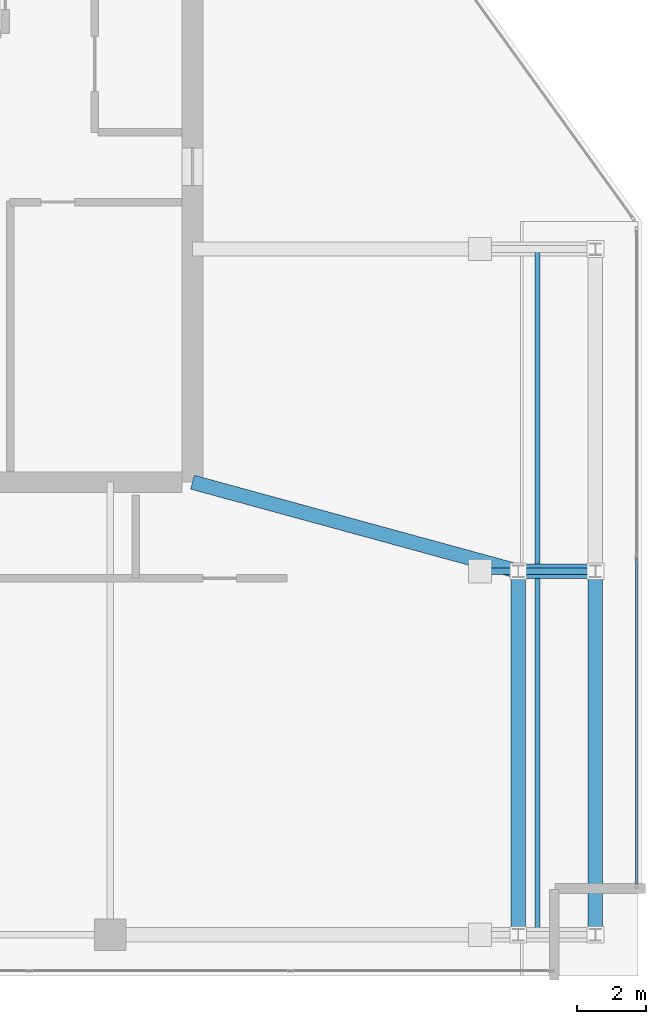
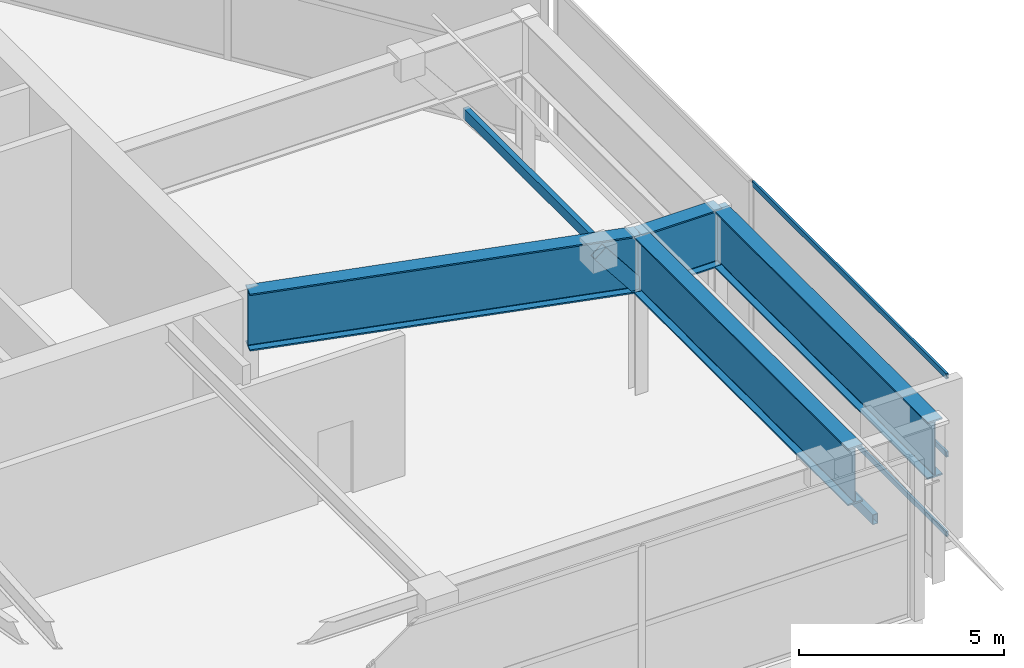
# One storey, part 8 of 21: 5 beams, 4 members, 1 element without a shape of its own.
"""IFC4 building model written with IfcOpenShell, lengths in metres."""

from ifc_helpers import new_model, si_unit, direction, frame, origin, origin_2d, place, context, subcontext, project, spatial, hollow_rectangle, i_section, extrude, material, layer, layer_set, material_profile, profile_set, type_object, element, aggregate, save


model = new_model("IFC4")

# Units and contexts
model_context = context("Model", 3, precision=1e-05, world=origin(), true_north=direction((0.0, 1.0)))
body_context = subcontext(model_context, "Body", "Model", "MODEL_VIEW")
ifc_project = project(units=[si_unit("LENGTHUNIT", "METRE"), si_unit("AREAUNIT", "SQUARE_METRE"), si_unit("VOLUMEUNIT", "CUBIC_METRE"), si_unit("PLANEANGLEUNIT", "RADIAN"), si_unit("MASSUNIT", "GRAM", prefix="KILO")], contexts=[model_context])

# Site, building, storey
site_placement = place(None, origin())
site = spatial("IfcSite", under=ifc_project, at=site_placement, CompositionType="ELEMENT")
building_placement = place(site_placement, origin())
building = spatial("IfcBuilding", under=site, at=building_placement, Name="Calvorn Quay Hotel", CompositionType="ELEMENT")
storey_placement = place(building_placement, frame((0.0, 0.0, 330.5)))
storey = spatial("IfcBuildingStorey", under=building, at=storey_placement, Name="L81", CompositionType="ELEMENT", Elevation=330.5)

# Beams
ifc_material_1 = material(Name="Steel Q355B", Category="steel")
ifc_material_profile_1 = material_profile(ifc_material_1, hollow_rectangle(XDim=0.199951171875, YDim=0.39990234375, WallThickness=0.013916015625, at=origin_2d()), Name="RHS400x200x14")
ifc_profile_set_1 = profile_set([ifc_material_profile_1], Name="Steel Q355B")
beam_type_1 = type_object("IfcBeamType", Name="BM-CRN-RAFTER", PredefinedType="BEAM", material=ifc_profile_set_1)
beam_1_placement = place(storey_placement, frame((26.75, 14.199951171875, 0.25), z_axis=(-0.620072794286, 0.0, 0.784544281597), x_axis=(0.0, -1.0, 0.0)))
element("IfcBeam", 1, at=beam_1_placement, inside=storey, type_object=beam_type_1, Name="Crown Raking Rafter L81-2", PredefinedType="BEAM", context=body_context, shape_type="SweptSolid", body=[
    extrude(hollow_rectangle(XDim=0.199951171875, YDim=0.39990234375, WallThickness=0.013916015625, at=origin_2d()), origin(), (0.0, 0.0, 1.0), 5.429931640625),
])
ifc_material_2 = material(Name="Steel Q420GJC", Category="steel")
ifc_material_profile_2 = material_profile(ifc_material_2, i_section(OverallWidth=0.419921875, OverallDepth=1.699951171875, WebThickness=0.02392578125, FlangeThickness=0.0419921875, FilletRadius=0.02392578125, at=origin_2d()), Name="HN1700x420x24x42")
ifc_profile_set_2 = profile_set([ifc_material_profile_2], Name="Steel Q420GJC")
beam_type_2 = type_object("IfcBeamType", Name="BM-XFER-SAWTOOTH", PredefinedType="BEAM", material=ifc_profile_set_2)
beam_2_placement = place(storey_placement, frame((15.0, 16.800048828125, 3.889892578125), z_axis=(0.964526615642, -0.263985620286, 0.0), x_axis=(0.263985620286, 0.964526615642, 0.0)))
element("IfcBeam", 2, at=beam_2_placement, inside=storey, type_object=beam_type_2, Name="Beam BTG-L81-C-CR2A", PredefinedType="BEAM", context=body_context, shape_type="SweptSolid", body=[
    extrude(i_section(OverallWidth=0.419921875, OverallDepth=1.699951171875, WebThickness=0.02392578125, FlangeThickness=0.0419921875, FilletRadius=0.02392578125, at=origin_2d()), origin(), (0.0, 0.0, 1.0), 9.849365234375),
])
beam_3_placement = place(storey_placement, frame((24.5, 14.199951171875, 3.889892578125), z_axis=(1.0, 0.0, 0.0), x_axis=(0.0, 1.0, 0.0)))
element("IfcBeam", 3, at=beam_3_placement, inside=storey, type_object=beam_type_2, Name="Beam BTG-L81-C-CR2B", PredefinedType="BEAM", context=body_context, shape_type="SweptSolid", body=[
    extrude(i_section(OverallWidth=0.419921875, OverallDepth=1.699951171875, WebThickness=0.02392578125, FlangeThickness=0.0419921875, FilletRadius=0.02392578125, at=origin_2d()), origin(), (0.0, 0.0, 1.0), 2.25),
])
for number, where, z_axis, x_axis, name in (
    (4, (26.75, 3.60009765625, 3.889892578125), (0.0, 1.0, 0.0), (-1.0, 0.0, 0.0), "Beam BTG-L81-CE1"),
    (5, (24.5, 3.60009765625, 3.889892578125), (0.0, 1.0, 0.0), (-1.0, 0.0, 0.0), "Beam BTG-L81-CEM"),
):
    element("IfcBeam", number, at=place(storey_placement, frame(where, z_axis=z_axis, x_axis=x_axis)), inside=storey, type_object=beam_type_2, Name=name, PredefinedType="BEAM", context=body_context, shape_type="SweptSolid", body=[
        extrude(i_section(OverallWidth=0.419921875, OverallDepth=1.699951171875, WebThickness=0.02392578125, FlangeThickness=0.0419921875, FilletRadius=0.02392578125, at=origin_2d()), origin(), (0.0, 0.0, 1.0), 10.599853515625),
    ])

# Curtain wall, members
ifc_material_3 = material(Name="Pale Anodised Aluminium and Laminated Glass", Category="aluminium")
ifc_layer = layer(ifc_material_3, 0.219970703125)
ifc_layer_set = layer_set([ifc_layer], Name="CW-SYS-CRN")
curtain_wall_type = type_object("IfcCurtainWallType", Name="CW-SYS-CRN", PredefinedType="NOTDEFINED", material=ifc_layer_set)
curtain_wall_placement = place(storey_placement, origin())
curtain_wall = element("IfcCurtainWall", 6, at=curtain_wall_placement, inside=storey, type_object=curtain_wall_type, Name="Crown Curtain Wall L81-C2", PredefinedType="NOTDEFINED")
ifc_material_4 = material(Name="Pale Anodised Aluminium 6063-T6", Category="aluminium")
ifc_material_profile_3 = material_profile(ifc_material_4, hollow_rectangle(XDim=0.06201171875, YDim=0.159912109375, WallThickness=0.00341796875, at=origin_2d()), Name="ALU-T160x62x3.5")
ifc_profile_set_3 = profile_set([ifc_material_profile_3], Name="Pale Anodised Aluminium 6063-T6")
member_type_1 = type_object("IfcMemberType", Name="CW-SYS-CRN-TRN", PredefinedType="USERDEFINED", material=ifc_profile_set_3)
member_1_placement = place(storey_placement, frame((27.949951171875, 5.080078125, 0.030029296875), z_axis=(0.0, 1.0, 0.0), x_axis=(-1.0, 0.0, 0.0)))
member_1 = element("IfcMember", 7, at=member_1_placement, type_object=member_type_1, Name="CW-L81-C2 transom 1.1", ObjectType="TRANSOM", PredefinedType="USERDEFINED", context=body_context, shape_type="SweptSolid", body=[
    extrude(hollow_rectangle(XDim=0.06201171875, YDim=0.159912109375, WallThickness=0.00341796875, at=origin_2d()), origin(), (0.0, 0.0, 1.0), 9.489990234375),
])
member_2_placement = place(storey_placement, frame((27.949951171875, 5.080078125, 2.39990234375), z_axis=(0.0, 1.0, 0.0), x_axis=(-1.0, 0.0, 0.0)))
member_2 = element("IfcMember", 8, at=member_2_placement, type_object=member_type_1, Name="CW-L81-C2 transom 1.2", ObjectType="TRANSOM", PredefinedType="USERDEFINED", context=body_context, shape_type="SweptSolid", body=[
    extrude(hollow_rectangle(XDim=0.06201171875, YDim=0.159912109375, WallThickness=0.00341796875, at=origin_2d()), origin(), (0.0, 0.0, 1.0), 9.489990234375),
])
member_3_placement = place(storey_placement, frame((27.949951171875, 5.080078125, 4.72998046875), z_axis=(0.0, 1.0, 0.0), x_axis=(-1.0, 0.0, 0.0)))
member_3 = element("IfcMember", 9, at=member_3_placement, type_object=member_type_1, Name="CW-L81-C2 transom 1.3", ObjectType="TRANSOM", PredefinedType="USERDEFINED", context=body_context, shape_type="SweptSolid", body=[
    extrude(hollow_rectangle(XDim=0.06201171875, YDim=0.159912109375, WallThickness=0.00341796875, at=origin_2d()), origin(), (0.0, 0.0, 1.0), 9.489990234375),
])
aggregate(curtain_wall, [member_1, member_2, member_3])

# Member
ifc_material_5 = material(Name="Steel Q355B", Category="steel")
ifc_material_profile_4 = material_profile(ifc_material_5, hollow_rectangle(XDim=0.14990234375, YDim=0.300048828125, WallThickness=0.010009765625, at=origin_2d()), Name="RHS300x150x10")
ifc_profile_set_4 = profile_set([ifc_material_profile_4], Name="Steel Q355B")
member_type_2 = type_object("IfcMemberType", Name="MEM-CRN-PURLIN1", PredefinedType="PURLIN", material=ifc_profile_set_4)
member_4_placement = place(storey_placement, frame((25.06591796875, 3.60009765625, 2.3798828125), z_axis=(0.0, 1.0, 0.0), x_axis=(-1.0, 0.0, 0.0)))
element("IfcMember", 10, at=member_4_placement, inside=storey, type_object=member_type_2, Name="Crown Slanted Purlin L81-1", PredefinedType="PURLIN", context=body_context, shape_type="SweptSolid", body=[
    extrude(hollow_rectangle(XDim=0.14990234375, YDim=0.300048828125, WallThickness=0.010009765625, at=origin_2d()), origin(), (0.0, 0.0, 1.0), 20.0),
])

save(model, "model.ifc")
